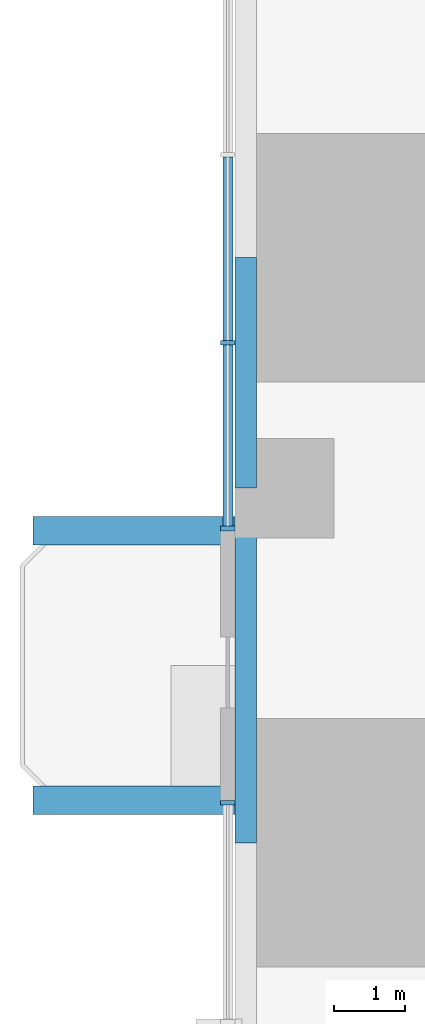
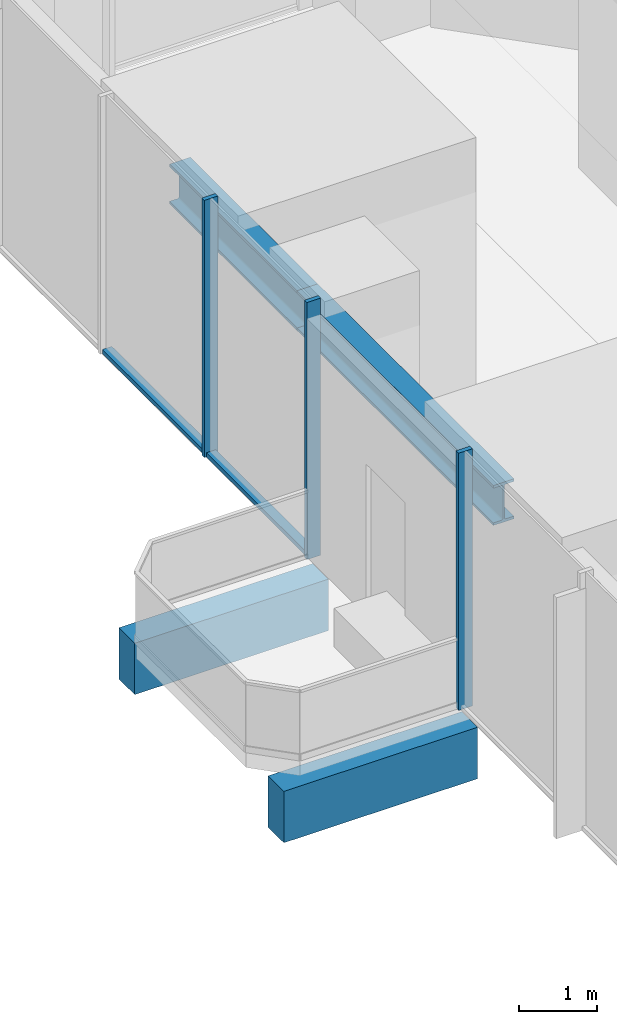
# One storey, part 3 of 16: 5 members, 4 beams, 2 elements without a shape of their own.
"""IFC4 building model written with IfcOpenShell, lengths in metres."""

from ifc_helpers import new_model, si_unit, direction, frame, origin, origin_2d, place, context, subcontext, project, spatial, rectangle, i_section, extrude, material, material_profile, profile_set, type_object, element, aggregate, save


model = new_model("IFC4")

# Units and contexts
model_context = context("Model", 3, precision=1e-05, world=origin(), true_north=direction((0.0, 1.0)))
body_context = subcontext(model_context, "Body", "Model", "MODEL_VIEW")
ifc_project = project(units=[si_unit("LENGTHUNIT", "METRE"), si_unit("AREAUNIT", "SQUARE_METRE"), si_unit("VOLUMEUNIT", "CUBIC_METRE"), si_unit("PLANEANGLEUNIT", "RADIAN"), si_unit("MASSUNIT", "GRAM", prefix="KILO")], contexts=[model_context])

# Site, building, storey
site_placement = place(None, origin())
site = spatial("IfcSite", under=ifc_project, at=site_placement, CompositionType="ELEMENT")
building_placement = place(site_placement, origin())
building = spatial("IfcBuilding", under=site, at=building_placement, Name="Svetlomir Tower", CompositionType="ELEMENT")
storey_placement = place(building_placement, frame((0.0, 0.0, 58.5)))
storey = spatial("IfcBuildingStorey", under=building, at=storey_placement, Name="L13", CompositionType="ELEMENT", Elevation=58.5)

# Beams
ifc_material_1 = material(Name="Concrete C60/75", Category="concrete")
ifc_material_profile_1 = material_profile(ifc_material_1, rectangle(XDim=0.39990234375, YDim=0.800048828125, at=origin_2d()), Name="RC 400x800")
ifc_profile_set_1 = profile_set([ifc_material_profile_1], Name="Concrete C60/75")
beam_type_1 = type_object("IfcBeamType", Name="BALCONY RIB RC 400x800", PredefinedType="BEAM", material=ifc_profile_set_1)
for number, where, z_axis, x_axis, name in (
    (1, (0.0, 21.60009765625, -0.64990234375), (-1.0, 0.0, 0.0), (0.0, -1.0, 0.0), "Balcony rib W 1 L13"),
    (2, (0.0, 25.39990234375, -0.64990234375), (-1.0, 0.0, 0.0), (0.0, -1.0, 0.0), "Balcony rib W 2 L13"),
):
    element("IfcBeam", number, at=place(storey_placement, frame(where, z_axis=z_axis, x_axis=x_axis)), inside=storey, type_object=beam_type_1, Name=name, PredefinedType="BEAM", context=body_context, shape_type="SweptSolid", body=[
        extrude(rectangle(XDim=0.39990234375, YDim=0.800048828125, at=origin_2d()), origin(), (0.0, 0.0, 1.0), 2.85009765625),
    ])

# Curtain wall, members
ifc_material_2 = material(Name="Bronze anodised aluminium curtain wall", Category="aluminium")
curtain_wall_type = type_object("IfcCurtainWallType", Name="CURTAIN WALL CW1 TOWER OFFICE", PredefinedType="NOTDEFINED", material=ifc_material_2)
curtain_wall_1_placement = place(storey_placement, origin())
curtain_wall_1 = element("IfcCurtainWall", 3, at=curtain_wall_1_placement, inside=storey, type_object=curtain_wall_type, Name="Curtain wall CW1 L13", PredefinedType="NOTDEFINED")
ifc_material_3 = material(Name="Bronze anodised aluminium", Category="aluminium")
ifc_material_profile_2 = material_profile(ifc_material_3, rectangle(XDim=0.06494140625, YDim=0.199951171875, at=origin_2d()), Name="AL 65x200")
ifc_profile_set_2 = profile_set([ifc_material_profile_2], Name="Bronze anodised aluminium 6063-T6")
member_type_1 = type_object("IfcMemberType", Name="CW1 MULLION 65x200", PredefinedType="MULLION", material=ifc_profile_set_2)
member_1_placement = place(storey_placement, frame((-0.10009765625, 28.050048828125, 0.0), z_axis=(0.0, 0.0, 1.0), x_axis=(0.0, -1.0, 0.0)))
member_1 = element("IfcMember", 4, at=member_1_placement, type_object=member_type_1, Name="CW1 mullion 4", PredefinedType="MULLION", context=body_context, shape_type="SweptSolid", body=[
    extrude(rectangle(XDim=0.06494140625, YDim=0.199951171875, at=origin_2d()), origin(), (0.0, 0.0, 1.0), 4.0),
])
member_2_placement = place(storey_placement, frame((-0.10009765625, 25.4326171875, 0.0), z_axis=(0.0, 0.0, 1.0), x_axis=(0.0, -1.0, 0.0)))
member_2 = element("IfcMember", 5, at=member_2_placement, type_object=member_type_1, Name="CW1 mullion 5", PredefinedType="MULLION", context=body_context, shape_type="SweptSolid", body=[
    extrude(rectangle(XDim=0.06494140625, YDim=0.199951171875, at=origin_2d()), origin(), (0.0, 0.0, 1.0), 4.0),
])

# Curtain wall, member
curtain_wall_2_placement = place(storey_placement, origin())
curtain_wall_2 = element("IfcCurtainWall", 6, at=curtain_wall_2_placement, inside=storey, type_object=curtain_wall_type, Name="Curtain wall CW1 L13", PredefinedType="NOTDEFINED")
member_3_placement = place(storey_placement, frame((-0.10009765625, 21.5673828125, 0.0), z_axis=(0.0, 0.0, 1.0), x_axis=(0.0, -1.0, 0.0)))
member_3 = element("IfcMember", 7, at=member_3_placement, type_object=member_type_1, Name="CW1 mullion 1", PredefinedType="MULLION", context=body_context, shape_type="SweptSolid", body=[
    extrude(rectangle(XDim=0.06494140625, YDim=0.199951171875, at=origin_2d()), origin(), (0.0, 0.0, 1.0), 4.0),
])
aggregate(curtain_wall_2, [member_3])

# Member
ifc_material_4 = material(Name="Bronze anodised aluminium", Category="aluminium")
ifc_material_profile_3 = material_profile(ifc_material_4, rectangle(XDim=0.139892578125, YDim=0.06494140625, at=origin_2d()), Name="AL 140x65")
ifc_profile_set_3 = profile_set([ifc_material_profile_3], Name="Bronze anodised aluminium 6063-T6")
member_type_2 = type_object("IfcMemberType", Name="CW1 TRANSOM 65x140", PredefinedType="USERDEFINED", material=ifc_profile_set_3)
member_4_placement = place(storey_placement, frame((-0.10009765625, 30.66748046875, 0.032470703125), z_axis=(0.0, -1.0, 0.0), x_axis=(1.0, 0.0, 0.0)))
member_4 = element("IfcMember", 8, at=member_4_placement, type_object=member_type_2, Name="CW1 transom 3.1", ObjectType="TRANSOM", PredefinedType="USERDEFINED", context=body_context, shape_type="SweptSolid", body=[
    extrude(rectangle(XDim=0.139892578125, YDim=0.06494140625, at=origin_2d()), origin(), (0.0, 0.0, 1.0), 2.5849609375),
])

member_5_placement = place(storey_placement, frame((-0.10009765625, 28.017578125, 0.032470703125), z_axis=(0.0, -1.0, 0.0), x_axis=(1.0, 0.0, 0.0)))
member_5 = element("IfcMember", 9, at=member_5_placement, type_object=member_type_2, Name="CW1 transom 4.1", ObjectType="TRANSOM", PredefinedType="USERDEFINED", context=body_context, shape_type="SweptSolid", body=[
    extrude(rectangle(XDim=0.139892578125, YDim=0.06494140625, at=origin_2d()), origin(), (0.0, 0.0, 1.0), 2.552490234375),
])

aggregate(curtain_wall_1, [member_1, member_2, member_4, member_5])

# Beams
ifc_material_5 = material(Name="Steel S355", Category="steel")
ifc_material_profile_4 = material_profile(ifc_material_5, i_section(OverallWidth=0.304931640625, OverallDepth=0.6201171875, WebThickness=0.02099609375, FlangeThickness=0.0400390625, FilletRadius=0.027099609375, at=origin_2d()), Name="HEM 600")
ifc_profile_set_4 = profile_set([ifc_material_profile_4], Name="Steel S355")
beam_type_2 = type_object("IfcBeamType", Name="EDGE BEAM HEM 600", PredefinedType="SPANDREL", material=ifc_profile_set_4)
beam_1_placement = place(storey_placement, frame((0.152587890625, 21.0, 3.43994140625), z_axis=(0.0, 1.0, 0.0), x_axis=(-1.0, 0.0, 0.0)))
element("IfcBeam", 10, at=beam_1_placement, inside=storey, type_object=beam_type_2, Name="Edge beam 0/21 to 0/26 under L14", PredefinedType="SPANDREL", context=body_context, shape_type="SweptSolid", body=[
    extrude(i_section(OverallWidth=0.304931640625, OverallDepth=0.6201171875, WebThickness=0.02099609375, FlangeThickness=0.0400390625, FilletRadius=0.027099609375, at=origin_2d()), origin(), (0.0, 0.0, 1.0), 5.0),
])
beam_2_placement = place(storey_placement, frame((0.152587890625, 26.0, 3.43994140625), z_axis=(0.0, 1.0, 0.0), x_axis=(-1.0, 0.0, 0.0)))
element("IfcBeam", 11, at=beam_2_placement, inside=storey, type_object=beam_type_2, Name="Edge beam 0/26 to 0/31 under L14", PredefinedType="SPANDREL", context=body_context, shape_type="SweptSolid", body=[
    extrude(i_section(OverallWidth=0.304931640625, OverallDepth=0.6201171875, WebThickness=0.02099609375, FlangeThickness=0.0400390625, FilletRadius=0.027099609375, at=origin_2d()), origin(), (0.0, 0.0, 1.0), 3.25),
])

save(model, "model.ifc")
